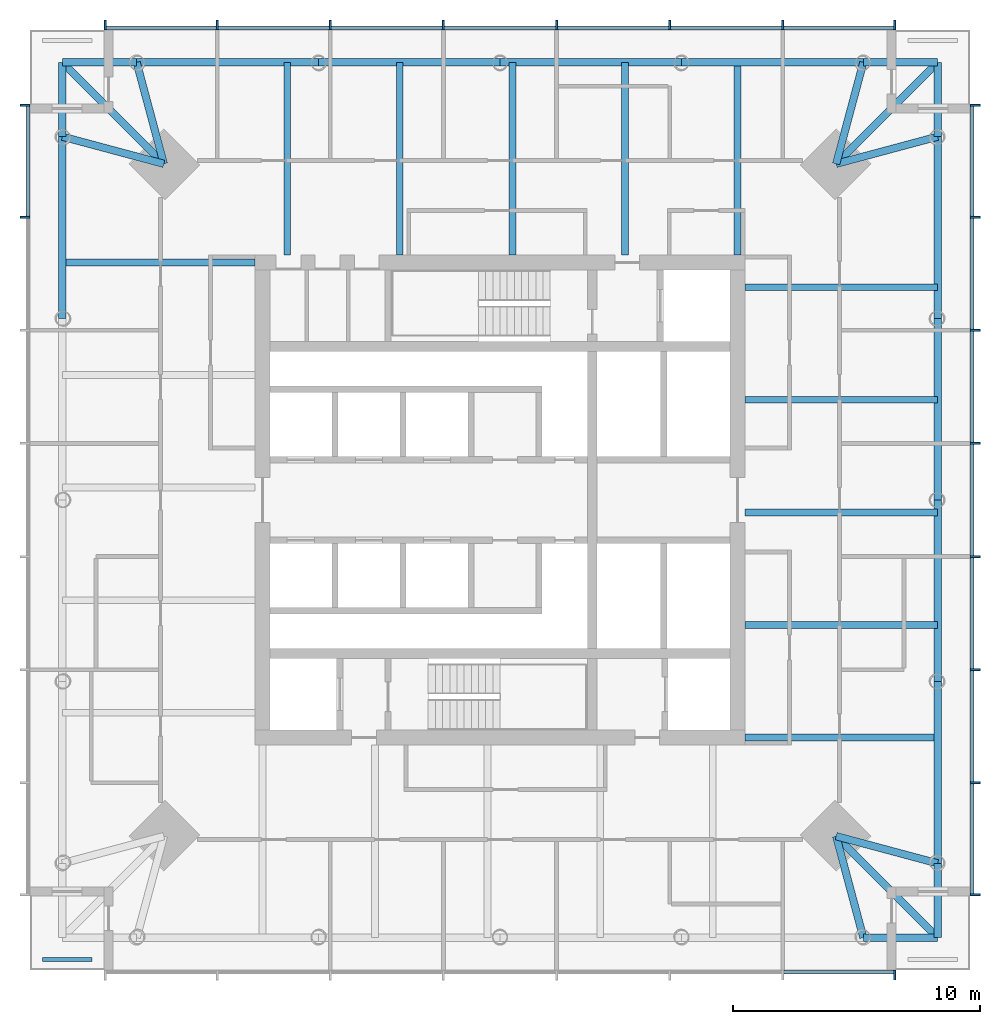
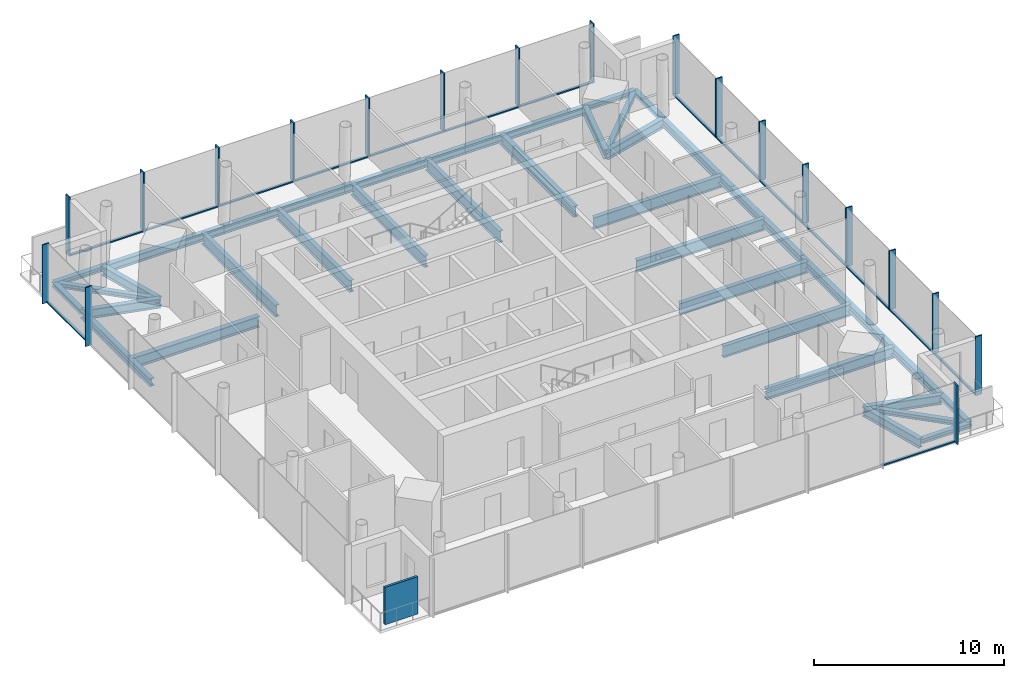
# One storey, part 2 of 7: 35 beams, 35 members, 1 plate, 4 elements without a shape of their own.
"""IFC4 building model written with IfcOpenShell, lengths in metres."""

from ifc_helpers import new_model, si_unit, direction, frame, origin, origin_2d, place, context, subcontext, project, spatial, rectangle, i_section, extrude, material, layer, layer_set, material_profile, profile_set, type_object, element, aggregate, save


model = new_model("IFC4")

# Units and contexts
model_context = context("Model", 3, precision=1e-05, world=origin(), true_north=direction((0.0, 1.0)))
body_context = subcontext(model_context, "Body", "Model", "MODEL_VIEW")
ifc_project = project(units=[si_unit("LENGTHUNIT", "METRE"), si_unit("AREAUNIT", "SQUARE_METRE"), si_unit("VOLUMEUNIT", "CUBIC_METRE"), si_unit("PLANEANGLEUNIT", "RADIAN"), si_unit("MASSUNIT", "GRAM", prefix="KILO")], contexts=[model_context])

# Site, building, storey
site_placement = place(None, origin())
site = spatial("IfcSite", under=ifc_project, at=site_placement, CompositionType="ELEMENT")
building_placement = place(site_placement, origin())
building = spatial("IfcBuilding", under=site, at=building_placement, Name="Ostroluk Exchange", CompositionType="ELEMENT")
storey_placement = place(building_placement, frame((0.0, 0.0, 218.60009765625)))
storey = spatial("IfcBuildingStorey", under=building, at=storey_placement, Name="L56", CompositionType="ELEMENT", Elevation=218.60009765625)

# Beams
ifc_material_1 = material(Name="Steel S355", Category="steel")
ifc_material_profile_1 = material_profile(ifc_material_1, i_section(OverallWidth=0.300048828125, OverallDepth=0.300048828125, WebThickness=0.010986328125, FlangeThickness=0.01904296875, FilletRadius=0.027099609375, at=origin_2d()), Name="HEB 300")
ifc_profile_set_1 = profile_set([ifc_material_profile_1], Name="Steel S355")
beam_type_1 = type_object("IfcBeamType", Name="Balcony beam HEB 300", PredefinedType="BEAM", material=ifc_profile_set_1)
for number, where, z_axis, x_axis, name in (
    (1, (62.685791015625, 60.685791015625, -0.330078125), (0.0, 1.0, 0.0), (-1.0, 0.0, 0.0), "T1 east balcony beam a"),
    (2, (59.685791015625, 63.685791015625, -0.330078125), (1.0, 0.0, 0.0), (0.0, 1.0, 0.0), "T1 east balcony beam b"),
):
    element("IfcBeam", number, at=place(storey_placement, frame(where, z_axis=z_axis, x_axis=x_axis)), inside=storey, type_object=beam_type_1, Name=name, PredefinedType="BEAM", context=body_context, shape_type="SweptSolid", body=[
        extrude(i_section(OverallWidth=0.300048828125, OverallDepth=0.300048828125, WebThickness=0.010986328125, FlangeThickness=0.01904296875, FilletRadius=0.027099609375, at=origin_2d()), origin(), (0.0, 0.0, 1.0), 3.0),
    ])
beam_1_placement = place(storey_placement, frame((58.585693359375, 59.585693359375, -0.330078125), z_axis=(0.707106781187, 0.707106781187, 0.0), x_axis=(-0.707106781187, 0.707106781187, 0.0)))
element("IfcBeam", 3, at=beam_1_placement, inside=storey, type_object=beam_type_1, Name="T1 east balcony beam c", PredefinedType="BEAM", context=body_context, shape_type="SweptSolid", body=[
    extrude(i_section(OverallWidth=0.300048828125, OverallDepth=0.300048828125, WebThickness=0.010986328125, FlangeThickness=0.01904296875, FilletRadius=0.027099609375, at=origin_2d()), origin(), (0.0, 0.0, 1.0), 5.79833984375),
])
for number, where, z_axis, x_axis, name in (
    (4, (30.314208984375, 63.685791015625, -0.330078125), (-1.0, 0.0, 0.0), (0.0, -1.0, 0.0), "T1 north balcony beam a"),
    (5, (27.314208984375, 60.685791015625, -0.330078125), (0.0, 1.0, 0.0), (-1.0, 0.0, 0.0), "T1 north balcony beam b"),
):
    element("IfcBeam", number, at=place(storey_placement, frame(where, z_axis=z_axis, x_axis=x_axis)), inside=storey, type_object=beam_type_1, Name=name, PredefinedType="BEAM", context=body_context, shape_type="SweptSolid", body=[
        extrude(i_section(OverallWidth=0.300048828125, OverallDepth=0.300048828125, WebThickness=0.010986328125, FlangeThickness=0.01904296875, FilletRadius=0.027099609375, at=origin_2d()), origin(), (0.0, 0.0, 1.0), 3.0),
    ])
beam_2_placement = place(storey_placement, frame((31.414306640625, 59.585693359375, -0.330078125), z_axis=(-0.707106781187, 0.707106781187, 0.0), x_axis=(-0.707106781187, -0.707106781187, 0.0)))
element("IfcBeam", 6, at=beam_2_placement, inside=storey, type_object=beam_type_1, Name="T1 north balcony beam c", PredefinedType="BEAM", context=body_context, shape_type="SweptSolid", body=[
    extrude(i_section(OverallWidth=0.300048828125, OverallDepth=0.300048828125, WebThickness=0.010986328125, FlangeThickness=0.01904296875, FilletRadius=0.027099609375, at=origin_2d()), origin(), (0.0, 0.0, 1.0), 5.79833984375),
])
for number, where, z_axis, x_axis, name in (
    (7, (59.685791015625, 28.314208984375, -0.330078125), (1.0, 0.0, 0.0), (0.0, 1.0, 0.0), "T1 south balcony beam a"),
    (8, (62.685791015625, 31.314208984375, -0.330078125), (0.0, -1.0, 0.0), (1.0, 0.0, 0.0), "T1 south balcony beam b"),
):
    element("IfcBeam", number, at=place(storey_placement, frame(where, z_axis=z_axis, x_axis=x_axis)), inside=storey, type_object=beam_type_1, Name=name, PredefinedType="BEAM", context=body_context, shape_type="SweptSolid", body=[
        extrude(i_section(OverallWidth=0.300048828125, OverallDepth=0.300048828125, WebThickness=0.010986328125, FlangeThickness=0.01904296875, FilletRadius=0.027099609375, at=origin_2d()), origin(), (0.0, 0.0, 1.0), 3.0),
    ])
beam_3_placement = place(storey_placement, frame((58.585693359375, 32.414306640625, -0.330078125), z_axis=(0.707106781187, -0.707106781187, 0.0), x_axis=(0.707106781187, 0.707106781187, 0.0)))
element("IfcBeam", 9, at=beam_3_placement, inside=storey, type_object=beam_type_1, Name="T1 south balcony beam c", PredefinedType="BEAM", context=body_context, shape_type="SweptSolid", body=[
    extrude(i_section(OverallWidth=0.300048828125, OverallDepth=0.300048828125, WebThickness=0.010986328125, FlangeThickness=0.01904296875, FilletRadius=0.027099609375, at=origin_2d()), origin(), (0.0, 0.0, 1.0), 5.79833984375),
])
ifc_material_2 = material(Name="Steel S355", Category="steel")
ifc_material_profile_2 = material_profile(ifc_material_2, i_section(OverallWidth=0.300048828125, OverallDepth=0.60009765625, WebThickness=0.015380859375, FlangeThickness=0.030029296875, FilletRadius=0.027099609375, at=origin_2d()), Name="HEB 600")
ifc_profile_set_2 = profile_set([ifc_material_profile_2], Name="Steel S355")
beam_type_2 = type_object("IfcBeamType", Name="Corner edge beam HEB 600", PredefinedType="SPANDREL", material=ifc_profile_set_2)
for number, where, z_axis, x_axis, name in (
    (10, (58.585693359375, 59.585693359375, -0.47998046875), (0.965838624319, 0.259144268261, 0.0), (-0.259144268261, 0.965838624319, 0.0), "T1 east corner edge beam a"),
    (11, (58.585693359375, 59.585693359375, -0.47998046875), (0.259144268261, 0.965838624319, 0.0), (-0.965838624319, 0.259144268261, 0.0), "T1 east corner edge beam b"),
    (12, (31.414306640625, 59.585693359375, -0.47998046875), (-0.259144268261, 0.965838624319, 0.0), (-0.965838624319, -0.259144268261, 0.0), "T1 north corner edge beam a"),
    (13, (31.414306640625, 59.585693359375, -0.47998046875), (-0.965838624319, 0.259144268261, 0.0), (-0.259144268261, -0.965838624319, 0.0), "T1 north corner edge beam b"),
    (14, (58.585693359375, 32.414306640625, -0.47998046875), (0.259144268261, -0.965838624319, 0.0), (0.965838624319, 0.259144268261, 0.0), "T1 south corner edge beam a"),
    (15, (58.585693359375, 32.414306640625, -0.47998046875), (0.965838624319, -0.259144268261, 0.0), (0.259144268261, 0.965838624319, 0.0), "T1 south corner edge beam b"),
):
    element("IfcBeam", number, at=place(storey_placement, frame(where, z_axis=z_axis, x_axis=x_axis)), inside=storey, type_object=beam_type_2, Name=name, PredefinedType="SPANDREL", context=body_context, shape_type="SweptSolid", body=[
        extrude(i_section(OverallWidth=0.300048828125, OverallDepth=0.60009765625, WebThickness=0.015380859375, FlangeThickness=0.030029296875, FilletRadius=0.027099609375, at=origin_2d()), origin(), (0.0, 0.0, 1.0), 4.2451171875),
    ])
ifc_material_3 = material(Name="Steel S355", Category="steel")
ifc_material_profile_3 = material_profile(ifc_material_3, i_section(OverallWidth=0.264892578125, OverallDepth=0.7529296875, WebThickness=0.01318359375, FlangeThickness=0.01708984375, FilletRadius=0.01708984375, at=origin_2d()), Name="IPE 750x147")
ifc_profile_set_3 = profile_set([ifc_material_profile_3], Name="Steel S355")
beam_type_3 = type_object("IfcBeamType", Name="Floor beam IPE 750x147", PredefinedType="BEAM", material=ifc_profile_set_3)
for number, where, z_axis, x_axis, name in (
    (16, (54.89990234375, 40.947509765625, -0.556640625), (1.0, 0.0, 0.0), (0.0, 1.0, 0.0), "T1 east floor beam 1"),
    (17, (54.89990234375, 45.4951171875, -0.556640625), (1.0, 0.0, 0.0), (0.0, 1.0, 0.0), "T1 east floor beam 2"),
    (18, (54.89990234375, 50.04296875, -0.556640625), (1.0, 0.0, 0.0), (0.0, 1.0, 0.0), "T1 east floor beam 3"),
    (19, (54.89990234375, 54.590576171875, -0.556640625), (1.0, 0.0, 0.0), (0.0, 1.0, 0.0), "T1 east floor beam 4"),
    (20, (50.052490234375, 55.89990234375, -0.556640625), (0.0, 1.0, 0.0), (-1.0, 0.0, 0.0), "T1 north floor beam 1"),
    (21, (45.5048828125, 55.89990234375, -0.556640625), (0.0, 1.0, 0.0), (-1.0, 0.0, 0.0), "T1 north floor beam 2"),
    (22, (40.95703125, 55.89990234375, -0.556640625), (0.0, 1.0, 0.0), (-1.0, 0.0, 0.0), "T1 north floor beam 3"),
    (23, (36.409423828125, 55.89990234375, -0.556640625), (0.0, 1.0, 0.0), (-1.0, 0.0, 0.0), "T1 north floor beam 4"),
):
    element("IfcBeam", number, at=place(storey_placement, frame(where, z_axis=z_axis, x_axis=x_axis)), inside=storey, type_object=beam_type_3, Name=name, PredefinedType="BEAM", context=body_context, shape_type="SweptSolid", body=[
        extrude(i_section(OverallWidth=0.264892578125, OverallDepth=0.7529296875, WebThickness=0.01318359375, FlangeThickness=0.01708984375, FilletRadius=0.01708984375, at=origin_2d()), origin(), (0.0, 0.0, 1.0), 7.785888671875),
    ])
ifc_material_4 = material(Name="Steel S355", Category="steel")
ifc_material_profile_4 = material_profile(ifc_material_4, i_section(OverallWidth=0.300048828125, OverallDepth=0.699951171875, WebThickness=0.01708984375, FlangeThickness=0.031982421875, FilletRadius=0.027099609375, at=origin_2d()), Name="HEB 700")
ifc_profile_set_4 = profile_set([ifc_material_profile_4], Name="Steel S355")
beam_type_4 = type_object("IfcBeamType", Name="Girder HEB 700", PredefinedType="BEAM", material=ifc_profile_set_4)
for number, where, z_axis, x_axis, name in (
    (24, (54.60009765625, 55.89990234375, -0.530029296875), (0.0, 1.0, 0.0), (-1.0, 0.0, 0.0), "T1 east girder"),
    (25, (35.10009765625, 55.60009765625, -0.530029296875), (-1.0, 0.0, 0.0), (0.0, -1.0, 0.0), "T1 north girder"),
    (26, (54.89990234375, 36.39990234375, -0.530029296875), (1.0, 0.0, 0.0), (0.0, 1.0, 0.0), "T1 south girder"),
):
    element("IfcBeam", number, at=place(storey_placement, frame(where, z_axis=z_axis, x_axis=x_axis)), inside=storey, type_object=beam_type_4, Name=name, PredefinedType="BEAM", context=body_context, shape_type="SweptSolid", body=[
        extrude(i_section(OverallWidth=0.300048828125, OverallDepth=0.699951171875, WebThickness=0.01708984375, FlangeThickness=0.031982421875, FilletRadius=0.027099609375, at=origin_2d()), origin(), (0.0, 0.0, 1.0), 7.785888671875),
    ])
ifc_material_5 = material(Name="Steel S355", Category="steel")
ifc_material_profile_5 = material_profile(ifc_material_5, i_section(OverallWidth=0.300048828125, OverallDepth=0.5, WebThickness=0.014404296875, FlangeThickness=0.028076171875, FilletRadius=0.027099609375, at=origin_2d()), Name="HEB 500")
ifc_profile_set_5 = profile_set([ifc_material_profile_5], Name="Steel S355")
beam_type_5 = type_object("IfcBeamType", Name="Moment-connected edge beam HEB 500", PredefinedType="SPANDREL", material=ifc_profile_set_5)
beam_4_placement = place(storey_placement, frame((62.685791015625, 31.314208984375, -0.43017578125), z_axis=(0.0, 1.0, 0.0), x_axis=(-1.0, 0.0, 0.0)))
element("IfcBeam", 27, at=beam_4_placement, inside=storey, type_object=beam_type_5, Name="T1 east edge beam 1", PredefinedType="SPANDREL", context=body_context, shape_type="SweptSolid", body=[
    extrude(i_section(OverallWidth=0.300048828125, OverallDepth=0.5, WebThickness=0.014404296875, FlangeThickness=0.028076171875, FilletRadius=0.027099609375, at=origin_2d()), origin(), (0.0, 0.0, 1.0), 7.343017578125),
])
for number, where, z_axis, x_axis, name in (
    (28, (62.685791015625, 38.6572265625, -0.43017578125), (0.0, 1.0, 0.0), (-1.0, 0.0, 0.0), "T1 east edge beam 2"),
    (29, (62.685791015625, 46.0, -0.43017578125), (0.0, 1.0, 0.0), (-1.0, 0.0, 0.0), "T1 east edge beam 3"),
):
    element("IfcBeam", number, at=place(storey_placement, frame(where, z_axis=z_axis, x_axis=x_axis)), inside=storey, type_object=beam_type_5, Name=name, PredefinedType="SPANDREL", context=body_context, shape_type="SweptSolid", body=[
        extrude(i_section(OverallWidth=0.300048828125, OverallDepth=0.5, WebThickness=0.014404296875, FlangeThickness=0.028076171875, FilletRadius=0.027099609375, at=origin_2d()), origin(), (0.0, 0.0, 1.0), 7.3427734375),
    ])
for number, where, z_axis, x_axis, name in (
    (30, (62.685791015625, 53.3427734375, -0.43017578125), (0.0, 1.0, 0.0), (-1.0, 0.0, 0.0), "T1 east edge beam 4"),
    (31, (59.685791015625, 63.685791015625, -0.43017578125), (-1.0, 0.0, 0.0), (0.0, -1.0, 0.0), "T1 north edge beam 1"),
):
    element("IfcBeam", number, at=place(storey_placement, frame(where, z_axis=z_axis, x_axis=x_axis)), inside=storey, type_object=beam_type_5, Name=name, PredefinedType="SPANDREL", context=body_context, shape_type="SweptSolid", body=[
        extrude(i_section(OverallWidth=0.300048828125, OverallDepth=0.5, WebThickness=0.014404296875, FlangeThickness=0.028076171875, FilletRadius=0.027099609375, at=origin_2d()), origin(), (0.0, 0.0, 1.0), 7.343017578125),
    ])
for number, where, z_axis, x_axis, name in (
    (32, (52.3427734375, 63.685791015625, -0.43017578125), (-1.0, 0.0, 0.0), (0.0, -1.0, 0.0), "T1 north edge beam 2"),
    (33, (45.0, 63.685791015625, -0.43017578125), (-1.0, 0.0, 0.0), (0.0, -1.0, 0.0), "T1 north edge beam 3"),
):
    element("IfcBeam", number, at=place(storey_placement, frame(where, z_axis=z_axis, x_axis=x_axis)), inside=storey, type_object=beam_type_5, Name=name, PredefinedType="SPANDREL", context=body_context, shape_type="SweptSolid", body=[
        extrude(i_section(OverallWidth=0.300048828125, OverallDepth=0.5, WebThickness=0.014404296875, FlangeThickness=0.028076171875, FilletRadius=0.027099609375, at=origin_2d()), origin(), (0.0, 0.0, 1.0), 7.3427734375),
    ])
for number, where, z_axis, x_axis, name in (
    (34, (37.6572265625, 63.685791015625, -0.43017578125), (-1.0, 0.0, 0.0), (0.0, -1.0, 0.0), "T1 north edge beam 4"),
    (35, (27.314208984375, 60.685791015625, -0.43017578125), (0.0, -1.0, 0.0), (1.0, 0.0, 0.0), "T1 west edge beam 1"),
):
    element("IfcBeam", number, at=place(storey_placement, frame(where, z_axis=z_axis, x_axis=x_axis)), inside=storey, type_object=beam_type_5, Name=name, PredefinedType="SPANDREL", context=body_context, shape_type="SweptSolid", body=[
        extrude(i_section(OverallWidth=0.300048828125, OverallDepth=0.5, WebThickness=0.014404296875, FlangeThickness=0.028076171875, FilletRadius=0.027099609375, at=origin_2d()), origin(), (0.0, 0.0, 1.0), 7.343017578125),
    ])

# Curtain wall, member
ifc_material_6 = material(Name="Laminated clear glass", Category="glass")
curtain_wall_type = type_object("IfcCurtainWallType", Name="Office tower facade", PredefinedType="USERDEFINED", material=ifc_material_6)
curtain_wall_1_placement = place(storey_placement, origin())
curtain_wall_1 = element("IfcCurtainWall", 36, at=curtain_wall_1_placement, inside=storey, type_object=curtain_wall_type, Name="Office tower south facade L56", ObjectType="UNITISED CURTAIN WALL", PredefinedType="USERDEFINED")
ifc_material_7 = material(Name="Aluminium mullion", Category="aluminium")
ifc_material_profile_6 = material_profile(ifc_material_7, rectangle(XDim=0.14990234375, YDim=0.080078125, at=origin_2d()), Name="Sill transom 80 x 150")
ifc_profile_set_6 = profile_set([ifc_material_profile_6], Name="Aluminium mullion")
member_type_1 = type_object("IfcMemberType", Name="Sill transom 80 x 150", PredefinedType="USERDEFINED", material=ifc_profile_set_6)
member_1_placement = place(storey_placement, frame((56.468505859375, 26.925048828125, 0.039794921875), z_axis=(1.0, 0.0, 0.0), x_axis=(0.0, 1.0, 0.0)))
member_1 = element("IfcMember", 37, at=member_1_placement, type_object=member_type_1, Name="CW-O1 transom 7.1", ObjectType="TRANSOM", PredefinedType="USERDEFINED", context=body_context, shape_type="SweptSolid", body=[
    extrude(rectangle(XDim=0.14990234375, YDim=0.080078125, at=origin_2d()), origin(), (0.0, 0.0, 1.0), 4.451416015625),
])

# Curtain wall, members
curtain_wall_2_placement = place(storey_placement, origin())
curtain_wall_2 = element("IfcCurtainWall", 38, at=curtain_wall_2_placement, inside=storey, type_object=curtain_wall_type, Name="Office tower east facade L56", ObjectType="UNITISED CURTAIN WALL", PredefinedType="USERDEFINED")
member_2_placement = place(storey_placement, frame((64.074951171875, 30.080078125, 0.039794921875), z_axis=(0.0, 1.0, 0.0), x_axis=(-1.0, 0.0, 0.0)))
member_2 = element("IfcMember", 39, at=member_2_placement, type_object=member_type_1, Name="CW-O1 transom 1.1", ObjectType="TRANSOM", PredefinedType="USERDEFINED", context=body_context, shape_type="SweptSolid", body=[
    extrude(rectangle(XDim=0.14990234375, YDim=0.080078125, at=origin_2d()), origin(), (0.0, 0.0, 1.0), 4.451416015625),
])
member_3_placement = place(storey_placement, frame((64.074951171875, 34.611328125, 0.039794921875), z_axis=(0.0, 1.0, 0.0), x_axis=(-1.0, 0.0, 0.0)))
member_3 = element("IfcMember", 40, at=member_3_placement, type_object=member_type_1, Name="CW-O1 transom 2.1", ObjectType="TRANSOM", PredefinedType="USERDEFINED", context=body_context, shape_type="SweptSolid", body=[
    extrude(rectangle(XDim=0.14990234375, YDim=0.080078125, at=origin_2d()), origin(), (0.0, 0.0, 1.0), 4.491455078125),
])
member_4_placement = place(storey_placement, frame((64.074951171875, 39.182861328125, 0.039794921875), z_axis=(0.0, 1.0, 0.0), x_axis=(-1.0, 0.0, 0.0)))
member_4 = element("IfcMember", 41, at=member_4_placement, type_object=member_type_1, Name="CW-O1 transom 3.1", ObjectType="TRANSOM", PredefinedType="USERDEFINED", context=body_context, shape_type="SweptSolid", body=[
    extrude(rectangle(XDim=0.14990234375, YDim=0.080078125, at=origin_2d()), origin(), (0.0, 0.0, 1.0), 4.491455078125),
])
member_5_placement = place(storey_placement, frame((64.074951171875, 43.75439453125, 0.039794921875), z_axis=(0.0, 1.0, 0.0), x_axis=(-1.0, 0.0, 0.0)))
member_5 = element("IfcMember", 42, at=member_5_placement, type_object=member_type_1, Name="CW-O1 transom 4.1", ObjectType="TRANSOM", PredefinedType="USERDEFINED", context=body_context, shape_type="SweptSolid", body=[
    extrude(rectangle(XDim=0.14990234375, YDim=0.080078125, at=origin_2d()), origin(), (0.0, 0.0, 1.0), 4.4912109375),
])
member_6_placement = place(storey_placement, frame((64.074951171875, 48.32568359375, 0.039794921875), z_axis=(0.0, 1.0, 0.0), x_axis=(-1.0, 0.0, 0.0)))
member_6 = element("IfcMember", 43, at=member_6_placement, type_object=member_type_1, Name="CW-O1 transom 5.1", ObjectType="TRANSOM", PredefinedType="USERDEFINED", context=body_context, shape_type="SweptSolid", body=[
    extrude(rectangle(XDim=0.14990234375, YDim=0.080078125, at=origin_2d()), origin(), (0.0, 0.0, 1.0), 4.491455078125),
])
member_7_placement = place(storey_placement, frame((64.074951171875, 52.897216796875, 0.039794921875), z_axis=(0.0, 1.0, 0.0), x_axis=(-1.0, 0.0, 0.0)))
member_7 = element("IfcMember", 44, at=member_7_placement, type_object=member_type_1, Name="CW-O1 transom 6.1", ObjectType="TRANSOM", PredefinedType="USERDEFINED", context=body_context, shape_type="SweptSolid", body=[
    extrude(rectangle(XDim=0.14990234375, YDim=0.080078125, at=origin_2d()), origin(), (0.0, 0.0, 1.0), 4.491455078125),
])
member_8_placement = place(storey_placement, frame((64.074951171875, 57.468505859375, 0.039794921875), z_axis=(0.0, 1.0, 0.0), x_axis=(-1.0, 0.0, 0.0)))
member_8 = element("IfcMember", 45, at=member_8_placement, type_object=member_type_1, Name="CW-O1 transom 7.1", ObjectType="TRANSOM", PredefinedType="USERDEFINED", context=body_context, shape_type="SweptSolid", body=[
    extrude(rectangle(XDim=0.14990234375, YDim=0.080078125, at=origin_2d()), origin(), (0.0, 0.0, 1.0), 4.451416015625),
])

curtain_wall_3_placement = place(storey_placement, origin())
curtain_wall_3 = element("IfcCurtainWall", 46, at=curtain_wall_3_placement, inside=storey, type_object=curtain_wall_type, Name="Office tower north facade L56", ObjectType="UNITISED CURTAIN WALL", PredefinedType="USERDEFINED")
member_9_placement = place(storey_placement, frame((60.919921875, 65.074951171875, 0.039794921875), z_axis=(-1.0, 0.0, 0.0), x_axis=(0.0, -1.0, 0.0)))
member_9 = element("IfcMember", 47, at=member_9_placement, type_object=member_type_1, Name="CW-O1 transom 1.1", ObjectType="TRANSOM", PredefinedType="USERDEFINED", context=body_context, shape_type="SweptSolid", body=[
    extrude(rectangle(XDim=0.14990234375, YDim=0.080078125, at=origin_2d()), origin(), (0.0, 0.0, 1.0), 4.451416015625),
])
member_10_placement = place(storey_placement, frame((56.388671875, 65.074951171875, 0.039794921875), z_axis=(-1.0, 0.0, 0.0), x_axis=(0.0, -1.0, 0.0)))
member_10 = element("IfcMember", 48, at=member_10_placement, type_object=member_type_1, Name="CW-O1 transom 2.1", ObjectType="TRANSOM", PredefinedType="USERDEFINED", context=body_context, shape_type="SweptSolid", body=[
    extrude(rectangle(XDim=0.14990234375, YDim=0.080078125, at=origin_2d()), origin(), (0.0, 0.0, 1.0), 4.491455078125),
])
member_11_placement = place(storey_placement, frame((51.817138671875, 65.074951171875, 0.039794921875), z_axis=(-1.0, 0.0, 0.0), x_axis=(0.0, -1.0, 0.0)))
member_11 = element("IfcMember", 49, at=member_11_placement, type_object=member_type_1, Name="CW-O1 transom 3.1", ObjectType="TRANSOM", PredefinedType="USERDEFINED", context=body_context, shape_type="SweptSolid", body=[
    extrude(rectangle(XDim=0.14990234375, YDim=0.080078125, at=origin_2d()), origin(), (0.0, 0.0, 1.0), 4.491455078125),
])
member_12_placement = place(storey_placement, frame((47.24560546875, 65.074951171875, 0.039794921875), z_axis=(-1.0, 0.0, 0.0), x_axis=(0.0, -1.0, 0.0)))
member_12 = element("IfcMember", 50, at=member_12_placement, type_object=member_type_1, Name="CW-O1 transom 4.1", ObjectType="TRANSOM", PredefinedType="USERDEFINED", context=body_context, shape_type="SweptSolid", body=[
    extrude(rectangle(XDim=0.14990234375, YDim=0.080078125, at=origin_2d()), origin(), (0.0, 0.0, 1.0), 4.4912109375),
])
member_13_placement = place(storey_placement, frame((42.67431640625, 65.074951171875, 0.039794921875), z_axis=(-1.0, 0.0, 0.0), x_axis=(0.0, -1.0, 0.0)))
member_13 = element("IfcMember", 51, at=member_13_placement, type_object=member_type_1, Name="CW-O1 transom 5.1", ObjectType="TRANSOM", PredefinedType="USERDEFINED", context=body_context, shape_type="SweptSolid", body=[
    extrude(rectangle(XDim=0.14990234375, YDim=0.080078125, at=origin_2d()), origin(), (0.0, 0.0, 1.0), 4.491455078125),
])
member_14_placement = place(storey_placement, frame((38.102783203125, 65.074951171875, 0.039794921875), z_axis=(-1.0, 0.0, 0.0), x_axis=(0.0, -1.0, 0.0)))
member_14 = element("IfcMember", 52, at=member_14_placement, type_object=member_type_1, Name="CW-O1 transom 6.1", ObjectType="TRANSOM", PredefinedType="USERDEFINED", context=body_context, shape_type="SweptSolid", body=[
    extrude(rectangle(XDim=0.14990234375, YDim=0.080078125, at=origin_2d()), origin(), (0.0, 0.0, 1.0), 4.491455078125),
])
member_15_placement = place(storey_placement, frame((33.531494140625, 65.074951171875, 0.039794921875), z_axis=(-1.0, 0.0, 0.0), x_axis=(0.0, -1.0, 0.0)))
member_15 = element("IfcMember", 53, at=member_15_placement, type_object=member_type_1, Name="CW-O1 transom 7.1", ObjectType="TRANSOM", PredefinedType="USERDEFINED", context=body_context, shape_type="SweptSolid", body=[
    extrude(rectangle(XDim=0.14990234375, YDim=0.080078125, at=origin_2d()), origin(), (0.0, 0.0, 1.0), 4.451416015625),
])

# Curtain wall, member
curtain_wall_4_placement = place(storey_placement, origin())
curtain_wall_4 = element("IfcCurtainWall", 54, at=curtain_wall_4_placement, inside=storey, type_object=curtain_wall_type, Name="Office tower west facade L56", ObjectType="UNITISED CURTAIN WALL", PredefinedType="USERDEFINED")
member_16_placement = place(storey_placement, frame((25.925048828125, 61.919921875, 0.039794921875), z_axis=(0.0, -1.0, 0.0), x_axis=(1.0, 0.0, 0.0)))
member_16 = element("IfcMember", 55, at=member_16_placement, type_object=member_type_1, Name="CW-O1 transom 1.1", ObjectType="TRANSOM", PredefinedType="USERDEFINED", context=body_context, shape_type="SweptSolid", body=[
    extrude(rectangle(XDim=0.14990234375, YDim=0.080078125, at=origin_2d()), origin(), (0.0, 0.0, 1.0), 4.451416015625),
])

# Member
ifc_material_8 = material(Name="Aluminium mullion with limestone facing", Category="masonry")
ifc_material_profile_7 = material_profile(ifc_material_8, rectangle(XDim=0.39990234375, YDim=0.080078125, at=origin_2d()), Name="Tracery mullion 80 x 400")
ifc_profile_set_7 = profile_set([ifc_material_profile_7], Name="Aluminium mullion with limestone facing")
member_type_2 = type_object("IfcMemberType", Name="Tracery mullion 80 x 400", PredefinedType="MULLION", material=ifc_profile_set_7)
member_17_placement = place(storey_placement, frame((60.9599609375, 26.800048828125, 0.0), z_axis=(0.0, 0.0, 1.0), x_axis=(0.0, 1.0, 0.0)))
member_17 = element("IfcMember", 56, at=member_17_placement, type_object=member_type_2, Name="CW-O1 mullion 8", PredefinedType="MULLION", context=body_context, shape_type="SweptSolid", body=[
    extrude(rectangle(XDim=0.39990234375, YDim=0.080078125, at=origin_2d()), origin(), (0.0, 0.0, 1.0), 3.7998046875),
])

aggregate(curtain_wall_1, [member_17, member_1])

member_18_placement = place(storey_placement, frame((64.199951171875, 30.0400390625, 0.0), z_axis=(0.0, 0.0, 1.0), x_axis=(-1.0, 0.0, 0.0)))
member_18 = element("IfcMember", 57, at=member_18_placement, type_object=member_type_2, Name="CW-O1 mullion 1", PredefinedType="MULLION", context=body_context, shape_type="SweptSolid", body=[
    extrude(rectangle(XDim=0.39990234375, YDim=0.080078125, at=origin_2d()), origin(), (0.0, 0.0, 1.0), 3.7998046875),
])

member_19_placement = place(storey_placement, frame((64.199951171875, 34.571533203125, 0.0), z_axis=(0.0, 0.0, 1.0), x_axis=(-1.0, 0.0, 0.0)))
member_19 = element("IfcMember", 58, at=member_19_placement, type_object=member_type_2, Name="CW-O1 mullion 2", PredefinedType="MULLION", context=body_context, shape_type="SweptSolid", body=[
    extrude(rectangle(XDim=0.39990234375, YDim=0.080078125, at=origin_2d()), origin(), (0.0, 0.0, 1.0), 3.7998046875),
])

member_20_placement = place(storey_placement, frame((64.199951171875, 39.142822265625, 0.0), z_axis=(0.0, 0.0, 1.0), x_axis=(-1.0, 0.0, 0.0)))
member_20 = element("IfcMember", 59, at=member_20_placement, type_object=member_type_2, Name="CW-O1 mullion 3", PredefinedType="MULLION", context=body_context, shape_type="SweptSolid", body=[
    extrude(rectangle(XDim=0.39990234375, YDim=0.080078125, at=origin_2d()), origin(), (0.0, 0.0, 1.0), 3.7998046875),
])

member_21_placement = place(storey_placement, frame((64.199951171875, 43.71435546875, 0.0), z_axis=(0.0, 0.0, 1.0), x_axis=(-1.0, 0.0, 0.0)))
member_21 = element("IfcMember", 60, at=member_21_placement, type_object=member_type_2, Name="CW-O1 mullion 4", PredefinedType="MULLION", context=body_context, shape_type="SweptSolid", body=[
    extrude(rectangle(XDim=0.39990234375, YDim=0.080078125, at=origin_2d()), origin(), (0.0, 0.0, 1.0), 3.7998046875),
])

member_22_placement = place(storey_placement, frame((64.199951171875, 48.28564453125, 0.0), z_axis=(0.0, 0.0, 1.0), x_axis=(-1.0, 0.0, 0.0)))
member_22 = element("IfcMember", 61, at=member_22_placement, type_object=member_type_2, Name="CW-O1 mullion 5", PredefinedType="MULLION", context=body_context, shape_type="SweptSolid", body=[
    extrude(rectangle(XDim=0.39990234375, YDim=0.080078125, at=origin_2d()), origin(), (0.0, 0.0, 1.0), 3.7998046875),
])

member_23_placement = place(storey_placement, frame((64.199951171875, 52.857177734375, 0.0), z_axis=(0.0, 0.0, 1.0), x_axis=(-1.0, 0.0, 0.0)))
member_23 = element("IfcMember", 62, at=member_23_placement, type_object=member_type_2, Name="CW-O1 mullion 6", PredefinedType="MULLION", context=body_context, shape_type="SweptSolid", body=[
    extrude(rectangle(XDim=0.39990234375, YDim=0.080078125, at=origin_2d()), origin(), (0.0, 0.0, 1.0), 3.7998046875),
])

member_24_placement = place(storey_placement, frame((64.199951171875, 57.428466796875, 0.0), z_axis=(0.0, 0.0, 1.0), x_axis=(-1.0, 0.0, 0.0)))
member_24 = element("IfcMember", 63, at=member_24_placement, type_object=member_type_2, Name="CW-O1 mullion 7", PredefinedType="MULLION", context=body_context, shape_type="SweptSolid", body=[
    extrude(rectangle(XDim=0.39990234375, YDim=0.080078125, at=origin_2d()), origin(), (0.0, 0.0, 1.0), 3.7998046875),
])

member_25_placement = place(storey_placement, frame((64.199951171875, 61.9599609375, 0.0), z_axis=(0.0, 0.0, 1.0), x_axis=(-1.0, 0.0, 0.0)))
member_25 = element("IfcMember", 64, at=member_25_placement, type_object=member_type_2, Name="CW-O1 mullion 8", PredefinedType="MULLION", context=body_context, shape_type="SweptSolid", body=[
    extrude(rectangle(XDim=0.39990234375, YDim=0.080078125, at=origin_2d()), origin(), (0.0, 0.0, 1.0), 3.7998046875),
])

aggregate(curtain_wall_2, [member_18, member_19, member_20, member_21, member_22, member_23, member_24, member_25, member_2, member_3, member_4, member_5, member_6, member_7, member_8])

member_26_placement = place(storey_placement, frame((60.9599609375, 65.199951171875, 0.0), z_axis=(0.0, 0.0, 1.0), x_axis=(0.0, -1.0, 0.0)))
member_26 = element("IfcMember", 65, at=member_26_placement, type_object=member_type_2, Name="CW-O1 mullion 1", PredefinedType="MULLION", context=body_context, shape_type="SweptSolid", body=[
    extrude(rectangle(XDim=0.39990234375, YDim=0.080078125, at=origin_2d()), origin(), (0.0, 0.0, 1.0), 3.7998046875),
])

member_27_placement = place(storey_placement, frame((56.428466796875, 65.199951171875, 0.0), z_axis=(0.0, 0.0, 1.0), x_axis=(0.0, -1.0, 0.0)))
member_27 = element("IfcMember", 66, at=member_27_placement, type_object=member_type_2, Name="CW-O1 mullion 2", PredefinedType="MULLION", context=body_context, shape_type="SweptSolid", body=[
    extrude(rectangle(XDim=0.39990234375, YDim=0.080078125, at=origin_2d()), origin(), (0.0, 0.0, 1.0), 3.7998046875),
])

member_28_placement = place(storey_placement, frame((51.857177734375, 65.199951171875, 0.0), z_axis=(0.0, 0.0, 1.0), x_axis=(0.0, -1.0, 0.0)))
member_28 = element("IfcMember", 67, at=member_28_placement, type_object=member_type_2, Name="CW-O1 mullion 3", PredefinedType="MULLION", context=body_context, shape_type="SweptSolid", body=[
    extrude(rectangle(XDim=0.39990234375, YDim=0.080078125, at=origin_2d()), origin(), (0.0, 0.0, 1.0), 3.7998046875),
])

member_29_placement = place(storey_placement, frame((47.28564453125, 65.199951171875, 0.0), z_axis=(0.0, 0.0, 1.0), x_axis=(0.0, -1.0, 0.0)))
member_29 = element("IfcMember", 68, at=member_29_placement, type_object=member_type_2, Name="CW-O1 mullion 4", PredefinedType="MULLION", context=body_context, shape_type="SweptSolid", body=[
    extrude(rectangle(XDim=0.39990234375, YDim=0.080078125, at=origin_2d()), origin(), (0.0, 0.0, 1.0), 3.7998046875),
])

member_30_placement = place(storey_placement, frame((42.71435546875, 65.199951171875, 0.0), z_axis=(0.0, 0.0, 1.0), x_axis=(0.0, -1.0, 0.0)))
member_30 = element("IfcMember", 69, at=member_30_placement, type_object=member_type_2, Name="CW-O1 mullion 5", PredefinedType="MULLION", context=body_context, shape_type="SweptSolid", body=[
    extrude(rectangle(XDim=0.39990234375, YDim=0.080078125, at=origin_2d()), origin(), (0.0, 0.0, 1.0), 3.7998046875),
])

member_31_placement = place(storey_placement, frame((38.142822265625, 65.199951171875, 0.0), z_axis=(0.0, 0.0, 1.0), x_axis=(0.0, -1.0, 0.0)))
member_31 = element("IfcMember", 70, at=member_31_placement, type_object=member_type_2, Name="CW-O1 mullion 6", PredefinedType="MULLION", context=body_context, shape_type="SweptSolid", body=[
    extrude(rectangle(XDim=0.39990234375, YDim=0.080078125, at=origin_2d()), origin(), (0.0, 0.0, 1.0), 3.7998046875),
])

member_32_placement = place(storey_placement, frame((33.571533203125, 65.199951171875, 0.0), z_axis=(0.0, 0.0, 1.0), x_axis=(0.0, -1.0, 0.0)))
member_32 = element("IfcMember", 71, at=member_32_placement, type_object=member_type_2, Name="CW-O1 mullion 7", PredefinedType="MULLION", context=body_context, shape_type="SweptSolid", body=[
    extrude(rectangle(XDim=0.39990234375, YDim=0.080078125, at=origin_2d()), origin(), (0.0, 0.0, 1.0), 3.7998046875),
])

member_33_placement = place(storey_placement, frame((29.0400390625, 65.199951171875, 0.0), z_axis=(0.0, 0.0, 1.0), x_axis=(0.0, -1.0, 0.0)))
member_33 = element("IfcMember", 72, at=member_33_placement, type_object=member_type_2, Name="CW-O1 mullion 8", PredefinedType="MULLION", context=body_context, shape_type="SweptSolid", body=[
    extrude(rectangle(XDim=0.39990234375, YDim=0.080078125, at=origin_2d()), origin(), (0.0, 0.0, 1.0), 3.7998046875),
])

aggregate(curtain_wall_3, [member_26, member_27, member_28, member_29, member_30, member_31, member_32, member_33, member_9, member_10, member_11, member_12, member_13, member_14, member_15])

member_34_placement = place(storey_placement, frame((25.800048828125, 61.9599609375, 0.0), z_axis=(0.0, 0.0, 1.0), x_axis=(1.0, 0.0, 0.0)))
member_34 = element("IfcMember", 73, at=member_34_placement, type_object=member_type_2, Name="CW-O1 mullion 1", PredefinedType="MULLION", context=body_context, shape_type="SweptSolid", body=[
    extrude(rectangle(XDim=0.39990234375, YDim=0.080078125, at=origin_2d()), origin(), (0.0, 0.0, 1.0), 3.7998046875),
])

member_35_placement = place(storey_placement, frame((25.800048828125, 57.428466796875, 0.0), z_axis=(0.0, 0.0, 1.0), x_axis=(1.0, 0.0, 0.0)))
member_35 = element("IfcMember", 74, at=member_35_placement, type_object=member_type_2, Name="CW-O1 mullion 2", PredefinedType="MULLION", context=body_context, shape_type="SweptSolid", body=[
    extrude(rectangle(XDim=0.39990234375, YDim=0.080078125, at=origin_2d()), origin(), (0.0, 0.0, 1.0), 3.7998046875),
])

aggregate(curtain_wall_4, [member_34, member_35, member_16])

# Plate
ifc_material_9 = material(Name="Steel S355 trellis with planting", Category="steel")
ifc_layer = layer(ifc_material_9, 0.14990234375)
ifc_layer_set = layer_set([ifc_layer], Name="Planted screen 150")
plate_type = type_object("IfcPlateType", Name="Planted screen 150", PredefinedType="USERDEFINED", material=ifc_layer_set)
plate_placement = place(storey_placement, frame((27.5, 27.425048828125, 0.0), z_axis=(0.0, 0.0, 1.0), x_axis=(1.0, 0.0, 0.0)))
element("IfcPlate", 75, at=plate_placement, inside=storey, type_object=plate_type, Name="Office tower SW planted screen L56", ObjectType="PLANTED SCREEN", PredefinedType="USERDEFINED", context=body_context, shape_type="SweptSolid", body=[
    extrude(rectangle(XDim=2.0, YDim=0.14990234375, at=origin_2d()), origin(), (0.0, 0.0, 1.0), 2.39990234375),
])

save(model, "model.ifc")
